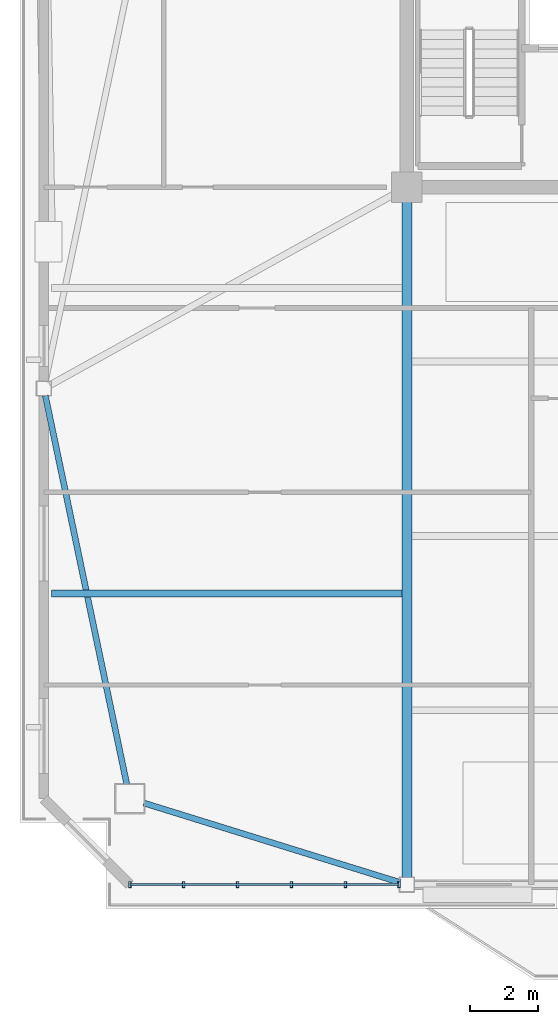
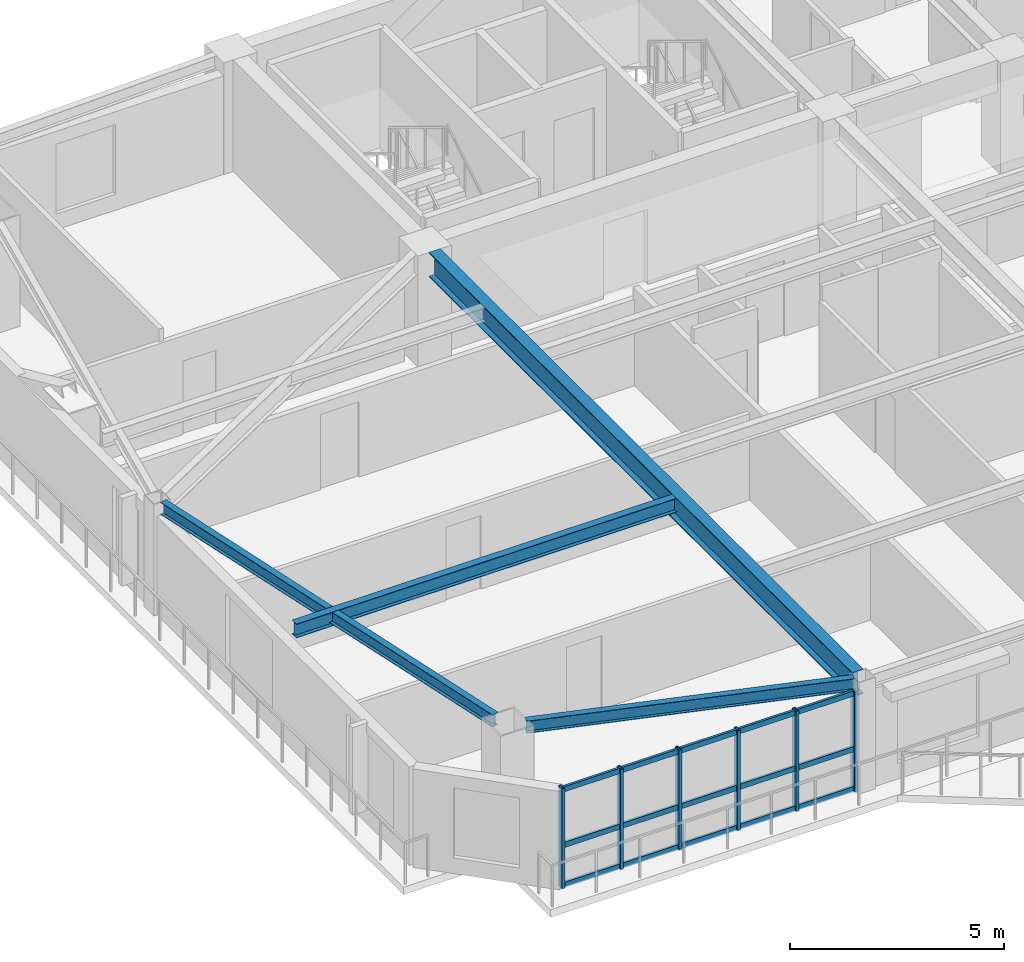
# One storey, part 2 of 17: 9 members, 4 beams, 1 element without a shape of its own.
"""IFC4 building model written with IfcOpenShell, lengths in metres."""

from ifc_helpers import new_model, si_unit, direction, frame, origin, origin_2d, place, context, subcontext, project, spatial, hollow_rectangle, i_section, extrude, source, transform, mapped, material, layer, layer_set, material_profile, profile_set, type_object, element, aggregate, save


model = new_model("IFC4")

# Units and contexts
model_context = context("Model", 3, precision=1e-05, world=origin(), true_north=direction((0.0, 1.0)))
body_context = subcontext(model_context, "Body", "Model", "MODEL_VIEW")
ifc_project = project(units=[si_unit("LENGTHUNIT", "METRE"), si_unit("AREAUNIT", "SQUARE_METRE"), si_unit("VOLUMEUNIT", "CUBIC_METRE"), si_unit("PLANEANGLEUNIT", "RADIAN"), si_unit("MASSUNIT", "GRAM", prefix="KILO")], contexts=[model_context])

# Site, building, storey
site_placement = place(None, origin())
site = spatial("IfcSite", under=ifc_project, at=site_placement, CompositionType="ELEMENT")
building_placement = place(site_placement, origin())
building = spatial("IfcBuilding", under=site, at=building_placement, Name="Giltprow Tower", CompositionType="ELEMENT")
storey_placement = place(building_placement, frame((0.0, 0.0, 268.89990234375)))
storey = spatial("IfcBuildingStorey", under=building, at=storey_placement, Name="L69", CompositionType="ELEMENT", Elevation=268.89990234375)

# Beams
ifc_material_1 = material(Name="Structural steel Q355B", Category="steel")
ifc_material_profile_1 = material_profile(ifc_material_1, i_section(OverallWidth=0.199951171875, OverallDepth=0.39990234375, WebThickness=0.008056640625, FlangeThickness=0.012939453125, at=origin_2d()), Name="HN 400x200x8x13")
ifc_profile_set_1 = profile_set([ifc_material_profile_1], Name="Structural steel Q355B")
beam_type_1 = type_object("IfcBeamType", Name="BM-JOIST-HN400", PredefinedType="JOIST", material=ifc_profile_set_1)
shared_shape_1 = source(origin(), body_context, "Body", "SweptSolid", [
    extrude(i_section(OverallWidth=0.199951171875, OverallDepth=0.39990234375, WebThickness=0.008056640625, FlangeThickness=0.012939453125, at=origin_2d()), origin(), (0.0, 0.0, 1.0), 10.291015625),
])
beam_1_placement = place(storey_placement, frame((9.4140625, 25.51806640625, 2.985107421875), z_axis=(1.0, 0.0, 0.0), x_axis=(0.0, 1.0, 0.0)))
element("IfcBeam", 1, at=beam_1_placement, inside=storey, type_object=beam_type_1, Name="L69 West Wing Floor Joist 1", PredefinedType="JOIST", context=body_context, shape_type="MappedRepresentation", body=[
    mapped(shared_shape_1, transform((0.0, 0.0, 0.0), x_axis=(1.0, 0.0, 0.0), y_axis=(0.0, 1.0, 0.0), z_axis=(0.0, 0.0, 1.0), scale=1.0)),
])
ifc_material_profile_2 = material_profile(ifc_material_1, i_section(OverallWidth=0.175048828125, OverallDepth=0.35009765625, WebThickness=0.007080078125, FlangeThickness=0.010986328125, at=origin_2d()), Name="HN 350x175x7x11")
ifc_profile_set_2 = profile_set([ifc_material_profile_2], Name="Structural steel Q355B")
beam_type_2 = type_object("IfcBeamType", Name="BM-SPAN-HN350", PredefinedType="SPANDREL", material=ifc_profile_set_2)
shared_shape_2 = source(origin(), body_context, "Body", "SweptSolid", [
    extrude(i_section(OverallWidth=0.175048828125, OverallDepth=0.35009765625, WebThickness=0.007080078125, FlangeThickness=0.010986328125, at=origin_2d()), origin(), (0.0, 0.0, 1.0), 7.870361328125),
])
beam_2_placement = place(storey_placement, frame((12.132080078125, 19.3701171875, 3.010009765625), z_axis=(0.955092293256, -0.296308473324, 0.0), x_axis=(0.296308473324, 0.955092293256, 0.0)))
element("IfcBeam", 2, at=beam_2_placement, inside=storey, type_object=beam_type_2, Name="L69 Perimeter Spandrel Beam MC_SW-S1", PredefinedType="SPANDREL", context=body_context, shape_type="MappedRepresentation", body=[
    mapped(shared_shape_2, transform((0.0, 0.0, 0.0), x_axis=(1.0, 0.0, 0.0), y_axis=(0.0, 1.0, 0.0), z_axis=(0.0, 0.0, 1.0), scale=1.0)),
])
shared_shape_3 = source(origin(), body_context, "Body", "SweptSolid", [
    extrude(i_section(OverallWidth=0.175048828125, OverallDepth=0.35009765625, WebThickness=0.007080078125, FlangeThickness=0.010986328125, at=origin_2d()), origin(), (0.0, 0.0, 1.0), 11.65478515625),
])
beam_3_placement = place(storey_placement, frame((9.237060546875, 31.33203125, 3.010009765625), z_axis=(0.205139436655, -0.978732757973, 0.0), x_axis=(0.978732757973, 0.205139436655, 0.0)))
element("IfcBeam", 3, at=beam_3_placement, inside=storey, type_object=beam_type_2, Name="L69 Perimeter Spandrel Beam W_MID-MC_SW", PredefinedType="SPANDREL", context=body_context, shape_type="MappedRepresentation", body=[
    mapped(shared_shape_3, transform((0.0, 0.0, 0.0), x_axis=(1.0, 0.0, 0.0), y_axis=(0.0, 1.0, 0.0), z_axis=(0.0, 0.0, 1.0), scale=1.0)),
])
ifc_material_profile_3 = material_profile(ifc_material_1, i_section(OverallWidth=0.300048828125, OverallDepth=0.699951171875, WebThickness=0.012939453125, FlangeThickness=0.02392578125, at=origin_2d()), Name="HN 700x300x13x24")
ifc_profile_set_3 = profile_set([ifc_material_profile_3], Name="Structural steel Q355B")
beam_type_3 = type_object("IfcBeamType", Name="BM-GIRD-HN700", PredefinedType="BEAM", material=ifc_profile_set_3)
shared_shape_4 = source(origin(), body_context, "Body", "SweptSolid", [
    extrude(i_section(OverallWidth=0.300048828125, OverallDepth=0.699951171875, WebThickness=0.012939453125, FlangeThickness=0.02392578125, at=origin_2d()), origin(), (0.0, 0.0, 1.0), 19.828857421875),
])
beam_4_placement = place(storey_placement, frame((19.85009765625, 17.18603515625, 2.835205078125), z_axis=(0.0, 1.0, 0.0), x_axis=(-1.0, 0.0, 0.0)))
element("IfcBeam", 4, at=beam_4_placement, inside=storey, type_object=beam_type_3, Name="L69 Primary Lease Girder S1", PredefinedType="BEAM", context=body_context, shape_type="MappedRepresentation", body=[
    mapped(shared_shape_4, transform((0.0, 0.0, 0.0), x_axis=(1.0, 0.0, 0.0), y_axis=(0.0, 1.0, 0.0), z_axis=(0.0, 0.0, 1.0), scale=1.0)),
])

# Curtain wall, members
ifc_material_2 = material(Name="Anodized bronze", Category="metal")
ifc_layer = layer(ifc_material_2, 0.179931640625, Name="Anodized bronze")
ifc_layer_set = layer_set([ifc_layer], Name="Anodized bronze")
curtain_wall_type = type_object("IfcCurtainWallType", Name="CW-RES-SKY", PredefinedType="NOTDEFINED", material=ifc_layer_set)
curtain_wall_placement = place(storey_placement, origin())
curtain_wall = element("IfcCurtainWall", 5, at=curtain_wall_placement, inside=storey, type_object=curtain_wall_type, Name="L69 South Recessed Curtain Wall 1", PredefinedType="NOTDEFINED")
ifc_material_profile_4 = material_profile(ifc_material_2, hollow_rectangle(XDim=0.074951171875, YDim=0.179931640625, WallThickness=0.008056640625, at=origin_2d()), Name="RHS 180x75x8")
ifc_profile_set_4 = profile_set([ifc_material_profile_4], Name="Anodized bronze")
member_type_1 = type_object("IfcMemberType", Name="CW-MULLION-180x75", PredefinedType="MULLION", material=ifc_profile_set_4)
shared_shape_5 = source(origin(), body_context, "Body", "SweptSolid", [
    extrude(hollow_rectangle(XDim=0.074951171875, YDim=0.179931640625, WallThickness=0.008056640625, at=origin_2d()), origin(), (0.0, 0.0, 1.0), 2.8701171875),
])
member_1_placement = place(storey_placement, frame((11.717041015625, 16.97607421875, -0.02001953125), z_axis=(0.0, 0.0, 1.0), x_axis=(1.0, 0.0, 0.0)))
member_1 = element("IfcMember", 6, at=member_1_placement, type_object=member_type_1, Name="L69 South Recessed Curtain Wall 1 Mullion 1", PredefinedType="MULLION", context=body_context, shape_type="MappedRepresentation", body=[
    mapped(shared_shape_5, transform((0.0, 0.0, 0.0), x_axis=(1.0, 0.0, 0.0), y_axis=(0.0, 1.0, 0.0), z_axis=(0.0, 0.0, 1.0), scale=1.0)),
])
member_2_placement = place(storey_placement, frame((13.299072265625, 16.97607421875, -0.02001953125), z_axis=(0.0, 0.0, 1.0), x_axis=(1.0, 0.0, 0.0)))
member_2 = element("IfcMember", 7, at=member_2_placement, type_object=member_type_1, Name="L69 South Recessed Curtain Wall 1 Mullion 2", PredefinedType="MULLION", context=body_context, shape_type="MappedRepresentation", body=[
    mapped(shared_shape_5, transform((0.0, 0.0, 0.0), x_axis=(1.0, 0.0, 0.0), y_axis=(0.0, 1.0, 0.0), z_axis=(0.0, 0.0, 1.0), scale=1.0)),
])
member_3_placement = place(storey_placement, frame((14.8798828125, 16.97607421875, -0.02001953125), z_axis=(0.0, 0.0, 1.0), x_axis=(1.0, 0.0, 0.0)))
member_3 = element("IfcMember", 8, at=member_3_placement, type_object=member_type_1, Name="L69 South Recessed Curtain Wall 1 Mullion 3", PredefinedType="MULLION", context=body_context, shape_type="MappedRepresentation", body=[
    mapped(shared_shape_5, transform((0.0, 0.0, 0.0), x_axis=(1.0, 0.0, 0.0), y_axis=(0.0, 1.0, 0.0), z_axis=(0.0, 0.0, 1.0), scale=1.0)),
])
member_4_placement = place(storey_placement, frame((16.4619140625, 16.97607421875, -0.02001953125), z_axis=(0.0, 0.0, 1.0), x_axis=(1.0, 0.0, 0.0)))
member_4 = element("IfcMember", 9, at=member_4_placement, type_object=member_type_1, Name="L69 South Recessed Curtain Wall 1 Mullion 4", PredefinedType="MULLION", context=body_context, shape_type="MappedRepresentation", body=[
    mapped(shared_shape_5, transform((0.0, 0.0, 0.0), x_axis=(1.0, 0.0, 0.0), y_axis=(0.0, 1.0, 0.0), z_axis=(0.0, 0.0, 1.0), scale=1.0)),
])
member_5_placement = place(storey_placement, frame((18.04296875, 16.97607421875, -0.02001953125), z_axis=(0.0, 0.0, 1.0), x_axis=(1.0, 0.0, 0.0)))
member_5 = element("IfcMember", 10, at=member_5_placement, type_object=member_type_1, Name="L69 South Recessed Curtain Wall 1 Mullion 5", PredefinedType="MULLION", context=body_context, shape_type="MappedRepresentation", body=[
    mapped(shared_shape_5, transform((0.0, 0.0, 0.0), x_axis=(1.0, 0.0, 0.0), y_axis=(0.0, 1.0, 0.0), z_axis=(0.0, 0.0, 1.0), scale=1.0)),
])
member_6_placement = place(storey_placement, frame((19.625, 16.97607421875, -0.02001953125), z_axis=(0.0, 0.0, 1.0), x_axis=(1.0, 0.0, 0.0)))
member_6 = element("IfcMember", 11, at=member_6_placement, type_object=member_type_1, Name="L69 South Recessed Curtain Wall 1 Mullion 6", PredefinedType="MULLION", context=body_context, shape_type="MappedRepresentation", body=[
    mapped(shared_shape_5, transform((0.0, 0.0, 0.0), x_axis=(1.0, 0.0, 0.0), y_axis=(0.0, 1.0, 0.0), z_axis=(0.0, 0.0, 1.0), scale=1.0)),
])
ifc_material_profile_5 = material_profile(ifc_material_2, hollow_rectangle(XDim=0.06494140625, YDim=0.14990234375, WallThickness=0.006103515625, at=origin_2d()), Name="RHS 150x65x6")
ifc_profile_set_5 = profile_set([ifc_material_profile_5], Name="Anodized bronze")
member_type_2 = type_object("IfcMemberType", Name="CW-TRANSOM-150x65", PredefinedType="USERDEFINED", material=ifc_profile_set_5)
shared_shape_6 = source(origin(), body_context, "Body", "SweptSolid", [
    extrude(hollow_rectangle(XDim=0.06494140625, YDim=0.14990234375, WallThickness=0.006103515625, at=origin_2d()), origin(), (0.0, 0.0, 1.0), 7.907958984375),
])
member_7_placement = place(storey_placement, frame((11.717041015625, 16.97607421875, 0.0400390625), z_axis=(1.0, 0.0, 0.0), x_axis=(0.0, 1.0, 0.0)))
member_7 = element("IfcMember", 12, at=member_7_placement, type_object=member_type_2, Name="L69 South Recessed Curtain Wall 1 Transom 1", ObjectType="TRANSOM", PredefinedType="USERDEFINED", context=body_context, shape_type="MappedRepresentation", body=[
    mapped(shared_shape_6, transform((0.0, 0.0, 0.0), x_axis=(1.0, 0.0, 0.0), y_axis=(0.0, 1.0, 0.0), z_axis=(0.0, 0.0, 1.0), scale=1.0)),
])
member_8_placement = place(storey_placement, frame((11.717041015625, 16.97607421875, 1.18212890625), z_axis=(1.0, 0.0, 0.0), x_axis=(0.0, 1.0, 0.0)))
member_8 = element("IfcMember", 13, at=member_8_placement, type_object=member_type_2, Name="L69 South Recessed Curtain Wall 1 Transom 2", ObjectType="TRANSOM", PredefinedType="USERDEFINED", context=body_context, shape_type="MappedRepresentation", body=[
    mapped(shared_shape_6, transform((0.0, 0.0, 0.0), x_axis=(1.0, 0.0, 0.0), y_axis=(0.0, 1.0, 0.0), z_axis=(0.0, 0.0, 1.0), scale=1.0)),
])
member_9_placement = place(storey_placement, frame((11.717041015625, 16.97607421875, 2.775146484375), z_axis=(1.0, 0.0, 0.0), x_axis=(0.0, 1.0, 0.0)))
member_9 = element("IfcMember", 14, at=member_9_placement, type_object=member_type_2, Name="L69 South Recessed Curtain Wall 1 Transom 3", ObjectType="TRANSOM", PredefinedType="USERDEFINED", context=body_context, shape_type="MappedRepresentation", body=[
    mapped(shared_shape_6, transform((0.0, 0.0, 0.0), x_axis=(1.0, 0.0, 0.0), y_axis=(0.0, 1.0, 0.0), z_axis=(0.0, 0.0, 1.0), scale=1.0)),
])
aggregate(curtain_wall, [member_1, member_2, member_3, member_4, member_5, member_6, member_7, member_8, member_9])

save(model, "model.ifc")
